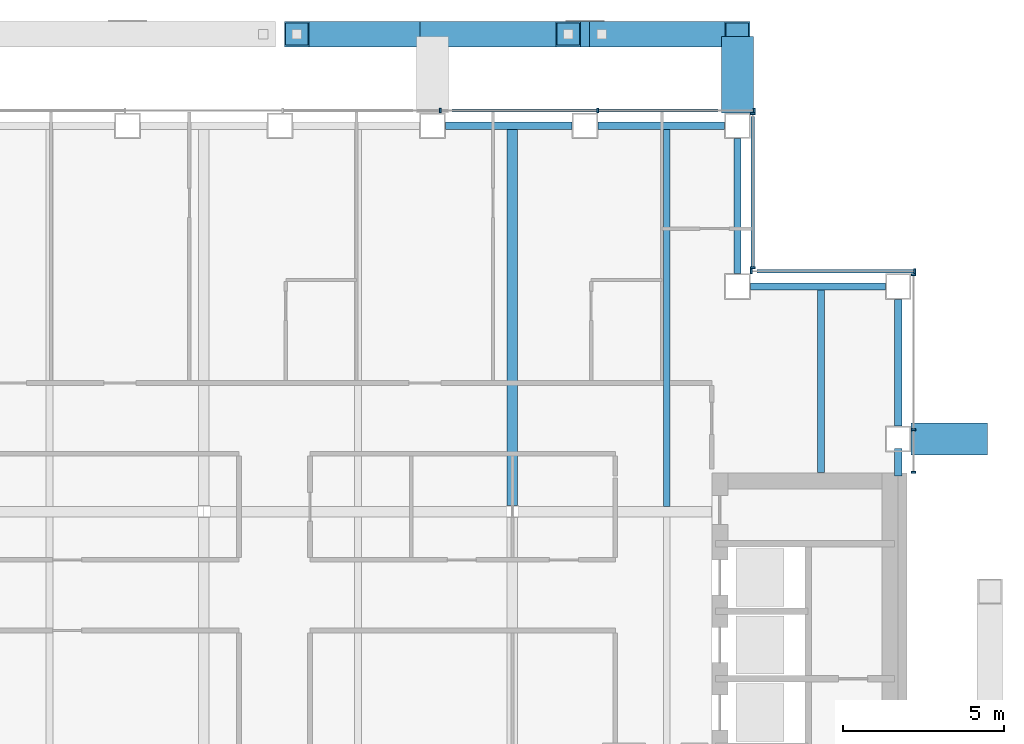
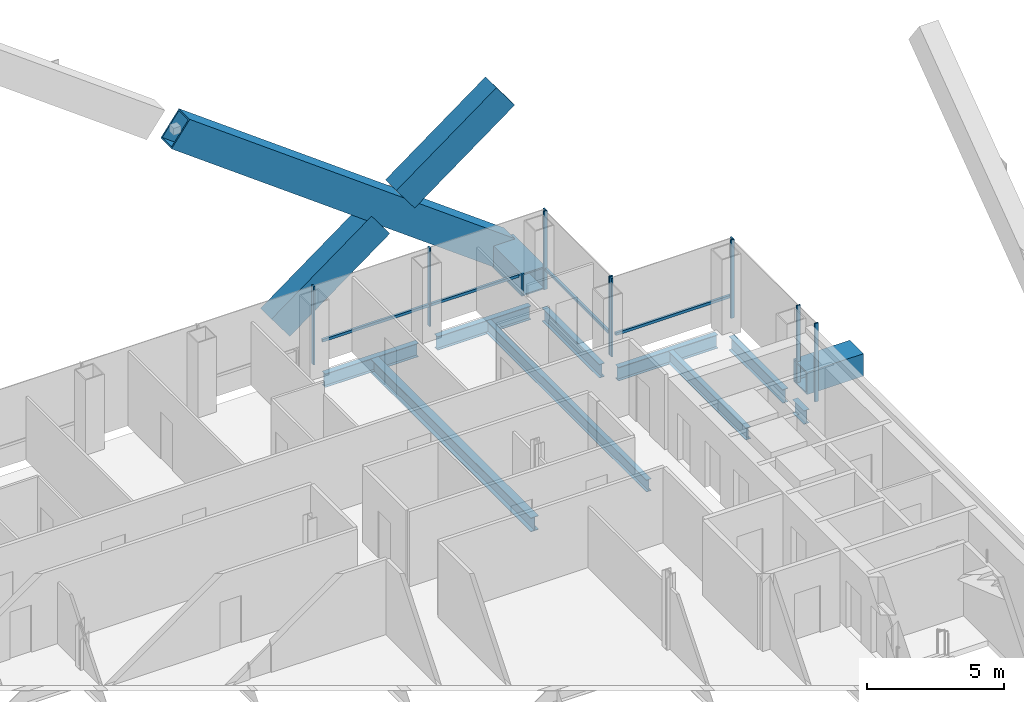
# One storey, part 10 of 18: 17 members, 11 beams, 4 elements without a shape of their own.
"""IFC4 building model written with IfcOpenShell, lengths in metres."""

from ifc_helpers import new_model, si_unit, direction, frame, origin, origin_2d, place, context, subcontext, project, spatial, rectangle, hollow_rectangle, i_section, extrude, material, material_profile, profile_set, type_object, element, aggregate, save


model = new_model("IFC4")

# Units and contexts
model_context = context("Model", 3, precision=1e-05, world=origin(), true_north=direction((0.0, 1.0)))
body_context = subcontext(model_context, "Body", "Model", "MODEL_VIEW")
ifc_project = project(units=[si_unit("LENGTHUNIT", "METRE"), si_unit("AREAUNIT", "SQUARE_METRE"), si_unit("VOLUMEUNIT", "CUBIC_METRE"), si_unit("PLANEANGLEUNIT", "RADIAN"), si_unit("MASSUNIT", "GRAM", prefix="KILO")], contexts=[model_context])

# Site, building, storey
site_placement = place(None, origin())
site = spatial("IfcSite", under=ifc_project, at=site_placement, CompositionType="ELEMENT")
building_placement = place(site_placement, origin())
building = spatial("IfcBuilding", under=site, at=building_placement, Name="Cobrizo Arcos Hotel Tower", CompositionType="ELEMENT")
storey_placement = place(building_placement, frame((0.0, 0.0, 165.5)))
storey = spatial("IfcBuildingStorey", under=building, at=storey_placement, Name="L42", CompositionType="ELEMENT", Elevation=165.5)

# Beams
ifc_material_1 = material(Name="Steel ASTM A572 Grade 50", Category="steel")
ifc_material_profile_1 = material_profile(ifc_material_1, hollow_rectangle(XDim=1.0, YDim=1.0, WallThickness=0.06005859375, at=origin_2d()), Name="BOX 1000X1000X60")
ifc_profile_set_1 = profile_set([ifc_material_profile_1], Name="Steel ASTM A572 Grade 50")
beam_type_1 = type_object("IfcBeamType", Name="BOX 1000X1000X60 brace connector strut", PredefinedType="BEAM", material=ifc_profile_set_1)
for number, where, z_axis, x_axis, name in (
    (1, (16.60009765625, 21.989990234375, 0.5), (0.0, 1.0, 0.0), (-1.0, 0.0, 0.0), "Perimeter brace stub BS1, zone Z3, north face, offset +16.60 m, L42"),
    (2, (21.989990234375, 11.857177734375, 0.5), (1.0, 0.0, 0.0), (0.0, 1.0, 0.0), "Perimeter brace stub BS1, zone Z3, east face, offset +11.86 m, L42"),
):
    element("IfcBeam", number, at=place(storey_placement, frame(where, z_axis=z_axis, x_axis=x_axis)), inside=storey, type_object=beam_type_1, Name=name, PredefinedType="BEAM", context=body_context, shape_type="SweptSolid", body=[
        extrude(hollow_rectangle(XDim=1.0, YDim=1.0, WallThickness=0.06005859375, at=origin_2d()), origin(), (0.0, 0.0, 1.0), 2.380126953125),
    ])

# Members
ifc_material_profile_2 = material_profile(ifc_material_1, hollow_rectangle(XDim=0.800048828125, YDim=1.300048828125, WallThickness=0.06005859375, at=origin_2d()), Name="BOX 800X1300X60")
ifc_profile_set_2 = profile_set([ifc_material_profile_2], Name="Steel ASTM A572 Grade 50")
member_type_1 = type_object("IfcMemberType", Name="BOX 800X1300X60 perimeter brace", PredefinedType="BRACE", material=ifc_profile_set_2)
member_1_placement = place(storey_placement, frame((16.60009765625, 24.449951171875, 0.5), z_axis=(-0.804630166974, 0.0, 0.593776299961), x_axis=(0.0, -1.0, 0.0)))
element("IfcMember", 3, at=member_1_placement, inside=storey, type_object=member_type_1, Name="Perimeter brace PBR3, zone Z3, north face, no. 10", PredefinedType="BRACE", context=body_context, shape_type="SweptSolid", body=[
    extrude(hollow_rectangle(XDim=0.800048828125, YDim=1.300048828125, WallThickness=0.06005859375, at=origin_2d()), origin(), (0.0, 0.0, 1.0), 17.033447265625),
])
for number, where, z_axis, x_axis, name in (
    (4, (7.1142578125, 24.449951171875, 0.5), (0.804623858684, 0.0, 0.593784848271), (0.0, 1.0, 0.0), "Perimeter brace PBR3, zone Z3, north face, no. 11"),
    (5, (12.38037109375, 24.449951171875, 4.385986328125), (0.804623858684, 0.0, 0.593784848271), (0.0, 1.0, 0.0), "Perimeter brace PBR3, zone Z3, north face, no. 11b"),
):
    element("IfcMember", number, at=place(storey_placement, frame(where, z_axis=z_axis, x_axis=x_axis)), inside=storey, type_object=member_type_1, Name=name, PredefinedType="BRACE", context=body_context, shape_type="SweptSolid", body=[
        extrude(hollow_rectangle(XDim=0.800048828125, YDim=1.300048828125, WallThickness=0.06005859375, at=origin_2d()), origin(), (0.0, 0.0, 1.0), 5.244384765625),
    ])

# Curtain wall, members
ifc_material_2 = material(Name="Aluminium 6063-T6 anodised bronze", Category="aluminium")
curtain_wall_type = type_object("IfcCurtainWallType", Name="CW-A guest facade", PredefinedType="NOTDEFINED", material=ifc_material_2)
curtain_wall_1_placement = place(storey_placement, origin())
curtain_wall_1 = element("IfcCurtainWall", 6, at=curtain_wall_1_placement, inside=storey, type_object=curtain_wall_type, Name="CW-A L42 E face", PredefinedType="NOTDEFINED")
ifc_material_profile_3 = material_profile(ifc_material_2, rectangle(XDim=0.14990234375, YDim=0.06005859375, at=origin_2d()), Name="CW-A mullion 150x60")
ifc_profile_set_3 = profile_set([ifc_material_profile_3], Name="Aluminium 6063-T6 anodised bronze")
member_type_2 = type_object("IfcMemberType", Name="CW-A mullion 150x60", PredefinedType="MULLION", material=ifc_profile_set_3)
member_2_placement = place(storey_placement, frame((22.074951171875, 10.830078125, 0.0), z_axis=(0.0, 0.0, 1.0), x_axis=(1.0, 0.0, 0.0)))
member_2 = element("IfcMember", 7, at=member_2_placement, type_object=member_type_2, Name="CW-A mullion 1", PredefinedType="MULLION", context=body_context, shape_type="SweptSolid", body=[
    extrude(rectangle(XDim=0.14990234375, YDim=0.06005859375, at=origin_2d()), origin(), (0.0, 0.0, 1.0), 3.5),
])
member_3_placement = place(storey_placement, frame((22.074951171875, 12.142822265625, 0.0), z_axis=(0.0, 0.0, 1.0), x_axis=(1.0, 0.0, 0.0)))
member_3 = element("IfcMember", 8, at=member_3_placement, type_object=member_type_2, Name="CW-A mullion 2", PredefinedType="MULLION", context=body_context, shape_type="SweptSolid", body=[
    extrude(rectangle(XDim=0.14990234375, YDim=0.06005859375, at=origin_2d()), origin(), (0.0, 0.0, 1.0), 3.5),
])
member_4_placement = place(storey_placement, frame((22.074951171875, 16.969970703125, 0.0), z_axis=(0.0, 0.0, 1.0), x_axis=(1.0, 0.0, 0.0)))
member_4 = element("IfcMember", 9, at=member_4_placement, type_object=member_type_2, Name="CW-A mullion 3", PredefinedType="MULLION", context=body_context, shape_type="SweptSolid", body=[
    extrude(rectangle(XDim=0.14990234375, YDim=0.06005859375, at=origin_2d()), origin(), (0.0, 0.0, 1.0), 3.5),
])
aggregate(curtain_wall_1, [member_2, member_3, member_4])

curtain_wall_2_placement = place(storey_placement, origin())
curtain_wall_2 = element("IfcCurtainWall", 10, at=curtain_wall_2_placement, inside=storey, type_object=curtain_wall_type, Name="CW-A L42 N face", PredefinedType="NOTDEFINED")
member_5_placement = place(storey_placement, frame((22.1201171875, 17.074951171875, 0.0), z_axis=(0.0, 0.0, 1.0), x_axis=(0.0, 1.0, 0.0)))
member_5 = element("IfcMember", 11, at=member_5_placement, type_object=member_type_2, Name="CW-A mullion 1", PredefinedType="MULLION", context=body_context, shape_type="SweptSolid", body=[
    extrude(rectangle(XDim=0.14990234375, YDim=0.06005859375, at=origin_2d()), origin(), (0.0, 0.0, 1.0), 3.5),
])
member_6_placement = place(storey_placement, frame((17.030029296875, 17.074951171875, 0.0), z_axis=(0.0, 0.0, 1.0), x_axis=(0.0, 1.0, 0.0)))
member_6 = element("IfcMember", 12, at=member_6_placement, type_object=member_type_2, Name="CW-A mullion 2", PredefinedType="MULLION", context=body_context, shape_type="SweptSolid", body=[
    extrude(rectangle(XDim=0.14990234375, YDim=0.06005859375, at=origin_2d()), origin(), (0.0, 0.0, 1.0), 3.5),
])

curtain_wall_3_placement = place(storey_placement, origin())
curtain_wall_3 = element("IfcCurtainWall", 13, at=curtain_wall_3_placement, inside=storey, type_object=curtain_wall_type, Name="CW-A L42 E face", PredefinedType="NOTDEFINED")
member_7_placement = place(storey_placement, frame((17.074951171875, 17.179931640625, 0.0), z_axis=(0.0, 0.0, 1.0), x_axis=(1.0, 0.0, 0.0)))
member_7 = element("IfcMember", 14, at=member_7_placement, type_object=member_type_2, Name="CW-A mullion 1", PredefinedType="MULLION", context=body_context, shape_type="SweptSolid", body=[
    extrude(rectangle(XDim=0.14990234375, YDim=0.06005859375, at=origin_2d()), origin(), (0.0, 0.0, 1.0), 3.5),
])
member_8_placement = place(storey_placement, frame((17.074951171875, 21.969970703125, 0.0), z_axis=(0.0, 0.0, 1.0), x_axis=(1.0, 0.0, 0.0)))
member_8 = element("IfcMember", 15, at=member_8_placement, type_object=member_type_2, Name="CW-A mullion 2", PredefinedType="MULLION", context=body_context, shape_type="SweptSolid", body=[
    extrude(rectangle(XDim=0.14990234375, YDim=0.06005859375, at=origin_2d()), origin(), (0.0, 0.0, 1.0), 3.5),
])

curtain_wall_4_placement = place(storey_placement, origin())
curtain_wall_4 = element("IfcCurtainWall", 16, at=curtain_wall_4_placement, inside=storey, type_object=curtain_wall_type, Name="CW-A L42 N face", PredefinedType="NOTDEFINED")
member_9_placement = place(storey_placement, frame((17.1201171875, 22.074951171875, 0.0), z_axis=(0.0, 0.0, 1.0), x_axis=(0.0, 1.0, 0.0)))
member_9 = element("IfcMember", 17, at=member_9_placement, type_object=member_type_2, Name="CW-A mullion 1", PredefinedType="MULLION", context=body_context, shape_type="SweptSolid", body=[
    extrude(rectangle(XDim=0.14990234375, YDim=0.06005859375, at=origin_2d()), origin(), (0.0, 0.0, 1.0), 3.5),
])
member_10_placement = place(storey_placement, frame((12.25, 22.074951171875, 0.0), z_axis=(0.0, 0.0, 1.0), x_axis=(0.0, 1.0, 0.0)))
member_10 = element("IfcMember", 18, at=member_10_placement, type_object=member_type_2, Name="CW-A mullion 2", PredefinedType="MULLION", context=body_context, shape_type="SweptSolid", body=[
    extrude(rectangle(XDim=0.14990234375, YDim=0.06005859375, at=origin_2d()), origin(), (0.0, 0.0, 1.0), 3.5),
])
member_11_placement = place(storey_placement, frame((7.35009765625, 22.074951171875, 0.0), z_axis=(0.0, 0.0, 1.0), x_axis=(0.0, 1.0, 0.0)))
member_11 = element("IfcMember", 19, at=member_11_placement, type_object=member_type_2, Name="CW-A mullion 3", PredefinedType="MULLION", context=body_context, shape_type="SweptSolid", body=[
    extrude(rectangle(XDim=0.14990234375, YDim=0.06005859375, at=origin_2d()), origin(), (0.0, 0.0, 1.0), 3.5),
])

# Member
ifc_material_profile_4 = material_profile(ifc_material_2, rectangle(XDim=0.10009765625, YDim=0.1201171875, at=origin_2d()), Name="CW-A transom 120x100")
ifc_profile_set_4 = profile_set([ifc_material_profile_4], Name="Aluminium 6063-T6 anodised bronze")
member_type_3 = type_object("IfcMemberType", Name="CW-A transom 120x100", PredefinedType="USERDEFINED", material=ifc_profile_set_4)
member_12_placement = place(storey_placement, frame((22.090087890625, 17.074951171875, 0.929931640625), z_axis=(-1.0, 0.0, 0.0), x_axis=(0.0, -1.0, 0.0)))
member_12 = element("IfcMember", 20, at=member_12_placement, type_object=member_type_3, Name="CW-A transom 1499", ObjectType="TRANSOM", PredefinedType="USERDEFINED", context=body_context, shape_type="SweptSolid", body=[
    extrude(rectangle(XDim=0.10009765625, YDim=0.1201171875, at=origin_2d()), origin(), (0.0, 0.0, 1.0), 4.89013671875),
])

aggregate(curtain_wall_2, [member_5, member_6, member_12])

member_13_placement = place(storey_placement, frame((17.074951171875, 17.2099609375, 0.929931640625), z_axis=(0.0, 1.0, 0.0), x_axis=(-1.0, 0.0, 0.0)))
member_13 = element("IfcMember", 21, at=member_13_placement, type_object=member_type_3, Name="CW-A transom 1500", ObjectType="TRANSOM", PredefinedType="USERDEFINED", context=body_context, shape_type="SweptSolid", body=[
    extrude(rectangle(XDim=0.10009765625, YDim=0.1201171875, at=origin_2d()), origin(), (0.0, 0.0, 1.0), 4.679931640625),
])

aggregate(curtain_wall_3, [member_7, member_8, member_13])

member_14_placement = place(storey_placement, frame((16.0, 22.074951171875, 0.929931640625), z_axis=(-1.0, 0.0, 0.0), x_axis=(0.0, -1.0, 0.0)))
member_14 = element("IfcMember", 22, at=member_14_placement, type_object=member_type_3, Name="CW-A transom 1501", ObjectType="TRANSOM", PredefinedType="USERDEFINED", context=body_context, shape_type="SweptSolid", body=[
    extrude(rectangle(XDim=0.10009765625, YDim=0.1201171875, at=origin_2d()), origin(), (0.0, 0.0, 1.0), 3.719970703125),
])

member_15_placement = place(storey_placement, frame((12.219970703125, 22.074951171875, 0.929931640625), z_axis=(-1.0, 0.0, 0.0), x_axis=(0.0, -1.0, 0.0)))
member_15 = element("IfcMember", 23, at=member_15_placement, type_object=member_type_3, Name="CW-A transom 1502", ObjectType="TRANSOM", PredefinedType="USERDEFINED", context=body_context, shape_type="SweptSolid", body=[
    extrude(rectangle(XDim=0.10009765625, YDim=0.1201171875, at=origin_2d()), origin(), (0.0, 0.0, 1.0), 4.505615234375),
])

aggregate(curtain_wall_4, [member_9, member_10, member_11, member_14, member_15])

# Beams
ifc_material_3 = material(Name="Steel ASTM A992 Grade 50", Category="steel")
ifc_material_profile_5 = material_profile(ifc_material_3, i_section(OverallWidth=0.209228515625, OverallDepth=0.533447265625, WebThickness=0.01025390625, FlangeThickness=0.015625, at=origin_2d()), Name="W21X62")
ifc_profile_set_5 = profile_set([ifc_material_profile_5], Name="Steel ASTM A992 Grade 50")
beam_type_2 = type_object("IfcBeamType", Name="W21X62 joist", PredefinedType="JOIST", material=ifc_profile_set_5)
beam_1_placement = place(storey_placement, frame((14.39990234375, 9.763916015625, -0.416748046875), z_axis=(0.0, 1.0, 0.0), x_axis=(-1.0, 0.0, 0.0)))
element("IfcBeam", 24, at=beam_1_placement, inside=storey, type_object=beam_type_2, Name="Floor joist J1, L42, no. 018", PredefinedType="JOIST", context=body_context, shape_type="SweptSolid", body=[
    extrude(i_section(OverallWidth=0.209228515625, OverallDepth=0.533447265625, WebThickness=0.01025390625, FlangeThickness=0.015625, at=origin_2d()), origin(), (0.0, 0.0, 1.0), 11.74609375),
])
beam_2_placement = place(storey_placement, frame((19.199951171875, 10.81005859375, -0.416748046875), z_axis=(0.0, 1.0, 0.0), x_axis=(-1.0, 0.0, 0.0)))
element("IfcBeam", 25, at=beam_2_placement, inside=storey, type_object=beam_type_2, Name="Floor joist J1, L42, no. 020", PredefinedType="JOIST", context=body_context, shape_type="SweptSolid", body=[
    extrude(i_section(OverallWidth=0.209228515625, OverallDepth=0.533447265625, WebThickness=0.01025390625, FlangeThickness=0.015625, at=origin_2d()), origin(), (0.0, 0.0, 1.0), 5.699951171875),
])
ifc_material_profile_6 = material_profile(ifc_material_3, i_section(OverallWidth=0.32763671875, OverallDepth=0.622314453125, WebThickness=0.015380859375, FlangeThickness=0.0244140625, at=origin_2d()), Name="W24X131")
ifc_profile_set_6 = profile_set([ifc_material_profile_6], Name="Steel ASTM A992 Grade 50")
beam_type_3 = type_object("IfcBeamType", Name="W24X131 girder", PredefinedType="BEAM", material=ifc_profile_set_6)
beam_3_placement = place(storey_placement, frame((9.60009765625, 9.78662109375, -0.461181640625), z_axis=(0.0, 1.0, 0.0), x_axis=(-1.0, 0.0, 0.0)))
element("IfcBeam", 26, at=beam_3_placement, inside=storey, type_object=beam_type_3, Name="Floor girder G1, L42, no. 024", PredefinedType="BEAM", context=body_context, shape_type="SweptSolid", body=[
    extrude(i_section(OverallWidth=0.32763671875, OverallDepth=0.622314453125, WebThickness=0.015380859375, FlangeThickness=0.0244140625, at=origin_2d()), origin(), (0.0, 0.0, 1.0), 11.723388671875),
])
ifc_material_profile_7 = material_profile(ifc_material_3, i_section(OverallWidth=0.228271484375, OverallDepth=0.607177734375, WebThickness=0.01123046875, FlangeThickness=0.017333984375, at=origin_2d()), Name="W24X76")
ifc_profile_set_7 = profile_set([ifc_material_profile_7], Name="Steel ASTM A992 Grade 50")
beam_type_4 = type_object("IfcBeamType", Name="W24X76 spandrel", PredefinedType="SPANDREL", material=ifc_profile_set_7)
beam_4_placement = place(storey_placement, frame((21.60009765625, 10.7099609375, -0.45361328125), z_axis=(0.0, 1.0, 0.0), x_axis=(-1.0, 0.0, 0.0)))
element("IfcBeam", 27, at=beam_4_placement, inside=storey, type_object=beam_type_4, Name="Spandrel beam W24X76, L42, no. 012", PredefinedType="SPANDREL", context=body_context, shape_type="SweptSolid", body=[
    extrude(i_section(OverallWidth=0.228271484375, OverallDepth=0.607177734375, WebThickness=0.01123046875, FlangeThickness=0.017333984375, at=origin_2d()), origin(), (0.0, 0.0, 1.0), 0.846923828125),
])
beam_5_placement = place(storey_placement, frame((21.60009765625, 12.257080078125, -0.45361328125), z_axis=(0.0, 1.0, 0.0), x_axis=(-1.0, 0.0, 0.0)))
element("IfcBeam", 28, at=beam_5_placement, inside=storey, type_object=beam_type_4, Name="Spandrel beam W24X76, L42, no. 013", PredefinedType="SPANDREL", context=body_context, shape_type="SweptSolid", body=[
    extrude(i_section(OverallWidth=0.228271484375, OverallDepth=0.607177734375, WebThickness=0.01123046875, FlangeThickness=0.017333984375, at=origin_2d()), origin(), (0.0, 0.0, 1.0), 3.94287109375),
])
for number, where, z_axis, x_axis, name in (
    (29, (21.199951171875, 16.60009765625, -0.45361328125), (-1.0, 0.0, 0.0), (0.0, -1.0, 0.0), "Spandrel beam W24X76, L42, no. 014"),
    (30, (16.60009765625, 17.0, -0.45361328125), (0.0, 1.0, 0.0), (-1.0, 0.0, 0.0), "Spandrel beam W24X76, L42, no. 015"),
):
    element("IfcBeam", number, at=place(storey_placement, frame(where, z_axis=z_axis, x_axis=x_axis)), inside=storey, type_object=beam_type_4, Name=name, PredefinedType="SPANDREL", context=body_context, shape_type="SweptSolid", body=[
        extrude(i_section(OverallWidth=0.228271484375, OverallDepth=0.607177734375, WebThickness=0.01123046875, FlangeThickness=0.017333984375, at=origin_2d()), origin(), (0.0, 0.0, 1.0), 4.199951171875),
    ])
beam_6_placement = place(storey_placement, frame((16.199951171875, 21.60009765625, -0.45361328125), z_axis=(-1.0, 0.0, 0.0), x_axis=(0.0, -1.0, 0.0)))
element("IfcBeam", 31, at=beam_6_placement, inside=storey, type_object=beam_type_4, Name="Spandrel beam W24X76, L42, no. 016", PredefinedType="SPANDREL", context=body_context, shape_type="SweptSolid", body=[
    extrude(i_section(OverallWidth=0.228271484375, OverallDepth=0.607177734375, WebThickness=0.01123046875, FlangeThickness=0.017333984375, at=origin_2d()), origin(), (0.0, 0.0, 1.0), 3.94287109375),
])
beam_7_placement = place(storey_placement, frame((11.45703125, 21.60009765625, -0.45361328125), z_axis=(-1.0, 0.0, 0.0), x_axis=(0.0, -1.0, 0.0)))
element("IfcBeam", 32, at=beam_7_placement, inside=storey, type_object=beam_type_4, Name="Spandrel beam W24X76, L42, no. 017", PredefinedType="SPANDREL", context=body_context, shape_type="SweptSolid", body=[
    extrude(i_section(OverallWidth=0.228271484375, OverallDepth=0.607177734375, WebThickness=0.01123046875, FlangeThickness=0.017333984375, at=origin_2d()), origin(), (0.0, 0.0, 1.0), 3.943115234375),
])

save(model, "model.ifc")
